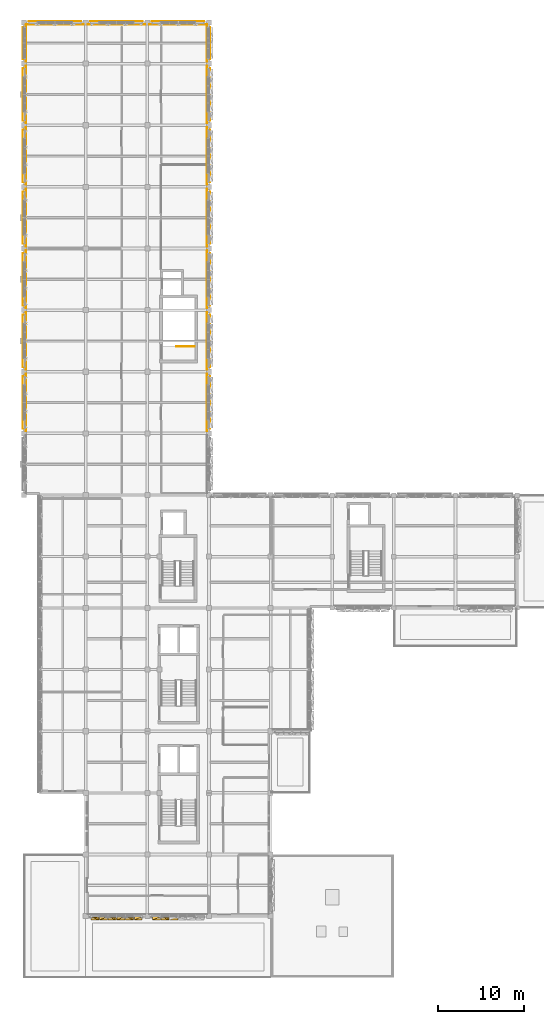
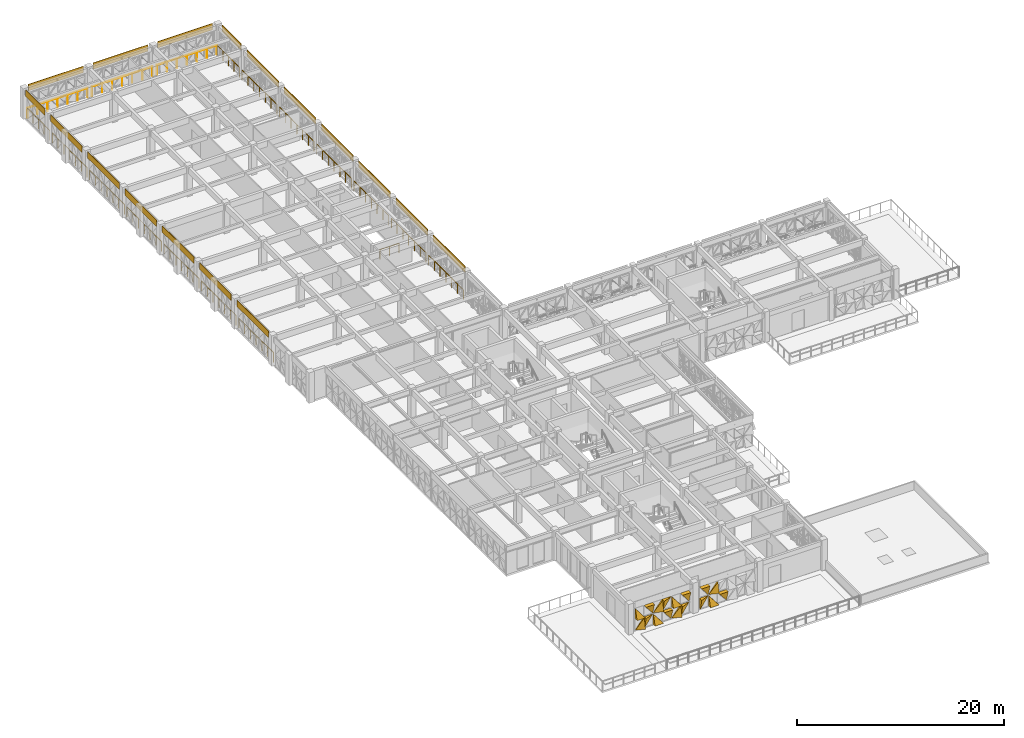
# One storey, part 64 of 74: 34 coverings, 18 railings.
"""IFC4 building model written with IfcOpenShell, lengths in metres."""

import ifcopenshell
import ifcopenshell.guid

model = None  # the IFC model being written
_history = None  # IfcOwnerHistory: only IFC2X3 demands one
_inside = {}  # id of a spatial element -> (the spatial element, [elements in it])
_under = {}  # id of a project, library or spatial element -> (it, [spatial elements below it])
_declared = {}  # id of a project -> (the project, [libraries it declares])
_typed = {}  # id of a type object -> (the type object, [elements of that type])
_made_of = {}  # id of a material, layer set ... -> (it, [elements and type objects made of it])


def new_model(schema):
    """Start an empty IFC model of exactly this schema.

    Asked for "IFC4X3", IfcOpenShell would pick the latest addendum, in which some entities
    have other attributes; the version numbers below select the first issue.
    IFC2X3 requires an IfcOwnerHistory on every rooted entity: one is made here for all.
    """
    global model, _history
    if schema == "IFC4X3":
        model = ifcopenshell.file(schema_version=(4, 3, 0, 0))
    else:
        model = ifcopenshell.file(schema=schema)
    _inside.clear()
    _under.clear()
    _declared.clear()
    _typed.clear()
    _made_of.clear()
    _history = None
    if model.schema == "IFC2X3":
        org = make("IfcOrganization", Name="unknown")
        user = make(
            "IfcPersonAndOrganization",
            ThePerson=make("IfcPerson", FamilyName="unknown"),
            TheOrganization=org,
        )
        app = make(
            "IfcApplication",
            ApplicationDeveloper=org,
            Version="unknown",
            ApplicationFullName="unknown",
            ApplicationIdentifier="unknown",
        )
        _history = make(
            "IfcOwnerHistory",
            OwningUser=user,
            OwningApplication=app,
            ChangeAction="ADDED",
            CreationDate=0,
        )
    return model


def make(cls, **values):
    """One entity of the class cls with the attributes given. An attribute that is None is left unset."""
    return model.create_entity(
        cls, **{name: value for name, value in values.items() if value is not None}
    )


def rooted(cls, **values):
    """An entity with a GlobalId (a new one), such as an element, a storey or a relation."""
    return make(cls, GlobalId=ifcopenshell.guid.new(), OwnerHistory=_history, **values)


def si_unit(unit_type, name, prefix=None):
    """IfcSIUnit, for example si_unit("LENGTHUNIT", "METRE", prefix="MILLI")."""
    return make("IfcSIUnit", UnitType=unit_type, Prefix=prefix, Name=name)


def assignment(units):
    """IfcUnitAssignment: the units of a project."""
    return None if units is None else make("IfcUnitAssignment", Units=units)


def point(xyz):
    """IfcCartesianPoint."""
    return None if xyz is None else make("IfcCartesianPoint", Coordinates=xyz)


def direction(xyz):
    """IfcDirection."""
    return None if xyz is None else make("IfcDirection", DirectionRatios=xyz)


def frame(location, z_axis=None, x_axis=None):
    """IfcAxis2Placement3D, a coordinate frame: its origin and axes. An axis left out is left unset."""
    return make(
        "IfcAxis2Placement3D",
        Location=point(location),
        Axis=direction(z_axis),
        RefDirection=direction(x_axis),
    )


def frame_2d(location, x_axis=None):
    """IfcAxis2Placement2D, a coordinate frame in the plane: its origin and x axis."""
    return make(
        "IfcAxis2Placement2D", Location=point(location), RefDirection=direction(x_axis)
    )


def origin():
    """The frame at (0, 0, 0) with its axes left unset."""
    return frame((0.0, 0.0, 0.0))


def origin_2d():
    """The frame at (0, 0) in the plane with its x axis left unset."""
    return frame_2d((0.0, 0.0))


def place(relative_to, where):
    """IfcLocalPlacement: puts the frame where relative to a parent placement (None: the world)."""
    return make(
        "IfcLocalPlacement", PlacementRelTo=relative_to, RelativePlacement=where
    )


def context(
    kind, dimensions, precision=None, world=None, true_north=None, identifier=None
):
    """IfcGeometricRepresentationContext, for example the 3D "Model" context."""
    return make(
        "IfcGeometricRepresentationContext",
        ContextIdentifier=identifier,
        ContextType=kind,
        CoordinateSpaceDimension=dimensions,
        Precision=precision,
        WorldCoordinateSystem=world,
        TrueNorth=true_north,
    )


def subcontext(parent, identifier, kind, view, scale=None):
    """IfcGeometricRepresentationSubContext, for example "Body" below "Model"."""
    return make(
        "IfcGeometricRepresentationSubContext",
        ContextIdentifier=identifier,
        ContextType=kind,
        ParentContext=parent,
        TargetScale=scale,
        TargetView=view,
    )


def project(units=None, contexts=None):
    """IfcProject with its units and contexts."""
    return rooted(
        "IfcProject",
        Name="project",
        RepresentationContexts=contexts,
        UnitsInContext=assignment(units),
    )


def spatial(cls, under=None, at=None, **own):
    """A site, building, storey or space (cls), placed at a placement, below another one or the project."""
    s = rooted(cls, ObjectPlacement=at, **own)
    if under is not None:
        _under.setdefault(under.id(), (under, []))[1].append(s)
    return s


def polyline(points):
    """IfcPolyline through the points."""
    return make("IfcPolyline", Points=[point(p) for p in points])


def point_list(points):
    """IfcCartesianPointList2D or 3D."""
    cls = (
        "IfcCartesianPointList2D" if len(points[0]) == 2 else "IfcCartesianPointList3D"
    )
    return make(cls, CoordList=points)


def profile(cls, at=None, kind="AREA", **sizes):
    """A parametric profile (cls). Its sizes go by their IFC names, for example OverallWidth=200.0."""
    return make(cls, ProfileType=kind, Position=at, **sizes)


def circle(**sizes):
    """IfcCircleProfileDef."""
    return profile("IfcCircleProfileDef", **sizes)


def outline(outer, holes=None, kind="AREA"):
    """IfcArbitraryClosedProfileDef: a profile drawn as a closed curve; with holes, ...WithVoids."""
    if holes is None:
        return make("IfcArbitraryClosedProfileDef", ProfileType=kind, OuterCurve=outer)
    return make(
        "IfcArbitraryProfileDefWithVoids",
        ProfileType=kind,
        OuterCurve=outer,
        InnerCurves=holes,
    )


def extrude(swept, where, along, depth):
    """IfcExtrudedAreaSolid: the profile swept, set in the frame where, extruded along a direction by depth."""
    return make(
        "IfcExtrudedAreaSolid",
        SweptArea=swept,
        Position=where,
        ExtrudedDirection=direction(along),
        Depth=depth,
    )


def polygons(points, faces, closed=None, point_numbers=None):
    """IfcPolygonalFaceSet: a face is its outer loop, then its inner loops; points numbered from 1."""
    made = []
    for loops in faces:
        if len(loops) == 1:
            made.append(make("IfcIndexedPolygonalFace", CoordIndex=loops[0]))
        else:
            made.append(
                make(
                    "IfcIndexedPolygonalFaceWithVoids",
                    CoordIndex=loops[0],
                    InnerCoordIndices=loops[1:],
                )
            )
    return make(
        "IfcPolygonalFaceSet",
        Coordinates=point_list(points),
        Closed=closed,
        Faces=made,
        PnIndex=point_numbers,
    )


def shape(context_of_items, identifier, shape_type, items):
    """IfcShapeRepresentation: the items that make up one representation, for example the "Body"."""
    return make(
        "IfcShapeRepresentation",
        ContextOfItems=context_of_items,
        RepresentationIdentifier=identifier,
        RepresentationType=shape_type,
        Items=items,
    )


def material(Name=None, Category=None):
    """IfcMaterial."""
    return make("IfcMaterial", Name=Name, Category=Category)


def layer(
    of_material, thickness, ventilated=None, Name=None, Category=None, Priority=None
):
    """IfcMaterialLayer: one layer of a wall or slab, of a material (None: an air gap)."""
    return make(
        "IfcMaterialLayer",
        Material=of_material,
        LayerThickness=thickness,
        IsVentilated=ventilated,
        Name=Name,
        Category=Category,
        Priority=Priority,
    )


def layer_set(layers, Name=None):
    """IfcMaterialLayerSet."""
    return make("IfcMaterialLayerSet", MaterialLayers=layers, LayerSetName=Name)


def made_of(thing, what):
    """Note that an element or type object is made of a material, layer set ...; save() writes the relation."""
    if what is not None:
        _made_of.setdefault(what.id(), (what, []))[1].append(thing)
    return thing


def type_object(cls, material=None, **own):
    """A type object (cls), such as IfcWallType, which elements share."""
    return made_of(rooted(cls, **own), material)


def element(
    cls,
    number,
    at=None,
    inside=None,
    cuts=None,
    type_object=None,
    material=None,
    context=None,
    identifier="Body",
    shape_type=None,
    held_by="IfcProductDefinitionShape",
    body=None,
    shapes=None,
    **own,
):
    """One element of the class cls, such as IfcWall. Its Tag is "e" and its number.

    at: its placement. inside: the storey or other place that contains it. cuts: it is an
    opening in that element (IfcRelVoidsElement). A single representation is given by context,
    identifier, shape_type and body (its items); several are given by shapes. held_by: the class
    of the entity that holds the representations. save() writes the other relations.
    """
    e = rooted(cls, Tag="e%d" % number, ObjectPlacement=at, **own)
    if body is not None:
        shapes = [shape(context, identifier, shape_type, body)]
    if shapes is not None:
        e.Representation = make(held_by, Representations=shapes)
    if inside is not None:
        _inside.setdefault(inside.id(), (inside, []))[1].append(e)
    if cuts is not None:
        rooted(
            "IfcRelVoidsElement", RelatingBuildingElement=cuts, RelatedOpeningElement=e
        )
    if type_object is not None:
        _typed.setdefault(type_object.id(), (type_object, []))[1].append(e)
    return made_of(e, material)


def aggregate(whole, parts):
    """IfcRelAggregates: a whole, such as a stair, and the parts it consists of."""
    return rooted("IfcRelAggregates", RelatingObject=whole, RelatedObjects=parts)


def save(model, path):
    """Write the relations noted so far, then the file.

    IfcRelAggregates (storeys below a building ...), IfcRelContainedInSpatialStructure (elements
    in a storey), IfcRelDefinesByType, IfcRelAssociatesMaterial and IfcRelDeclares: one each for
    every whole, place, type object, material and project.
    """
    for whole, parts in _under.values():
        aggregate(whole, parts)
    for where, things in _inside.values():
        rooted(
            "IfcRelContainedInSpatialStructure",
            RelatedElements=things,
            RelatingStructure=where,
        )
    for kind, things in _typed.values():
        rooted("IfcRelDefinesByType", RelatedObjects=things, RelatingType=kind)
    for what, things in _made_of.values():
        rooted("IfcRelAssociatesMaterial", RelatedObjects=things, RelatingMaterial=what)
    for by, libraries in _declared.values():
        rooted("IfcRelDeclares", RelatingContext=by, RelatedDefinitions=libraries)
    model.write(path)


model = new_model("IFC4")

# Units and contexts
model_context = context("Model", 3, precision=1e-05, world=origin(), true_north=direction((0.0, 1.0)))
body_context = subcontext(model_context, "Body", "Model", "MODEL_VIEW")
ifc_project = project(units=[si_unit("LENGTHUNIT", "METRE"), si_unit("AREAUNIT", "SQUARE_METRE"), si_unit("VOLUMEUNIT", "CUBIC_METRE"), si_unit("PLANEANGLEUNIT", "RADIAN"), si_unit("MASSUNIT", "GRAM", prefix="KILO")], contexts=[model_context])

# Site, building, storey
site_placement = place(None, origin())
site = spatial("IfcSite", under=ifc_project, at=site_placement, CompositionType="ELEMENT")
building_placement = place(site_placement, origin())
building = spatial("IfcBuilding", under=site, at=building_placement, Name="Alvorim Cloister Faculty of Sciences", CompositionType="ELEMENT")
storey_placement = place(building_placement, frame((0.0, 0.0, 15.75)))
storey = spatial("IfcBuildingStorey", under=building, at=storey_placement, Name="L04", CompositionType="ELEMENT", Elevation=15.75)

# Coverings
ifc_material_1 = material(Name="Anodised Aluminium Alloy 6063-T6", Category="aluminium")
ifc_layer_1 = layer(ifc_material_1, 0.031982421875)
ifc_layer_set_1 = layer_set([ifc_layer_1], Name="Anodised Aluminium Alloy 6063-T6")
covering_type_1 = type_object("IfcCoveringType", Name="COV-FAC-CAS", PredefinedType="CLADDING", material=ifc_layer_set_1)
for number, where, z_axis, x_axis, name in (
    (1, (-0.14990234375, 64.139892578125, 2.830078125), (0.0, 0.0, 1.0), (0.0, 1.0, 0.0), "L04 Shifted Bar Slab-Edge Architectural Fascia"),
    (2, (-0.14990234375, 71.340087890625, 2.830078125), (0.0, 0.0, 1.0), (0.0, 1.0, 0.0), "L04 Shifted Bar Slab-Edge Architectural Fascia"),
    (3, (-0.14990234375, 78.5400390625, 2.830078125), (0.0, 0.0, 1.0), (0.0, 1.0, 0.0), "L04 Shifted Bar Slab-Edge Architectural Fascia"),
    (4, (-0.14990234375, 85.739990234375, 2.830078125), (0.0, 0.0, 1.0), (0.0, 1.0, 0.0), "L04 Shifted Bar Slab-Edge Architectural Fascia"),
    (5, (-0.14990234375, 92.93994140625, 2.830078125), (0.0, 0.0, 1.0), (0.0, 1.0, 0.0), "L04 Shifted Bar Slab-Edge Architectural Fascia"),
    (6, (-0.14990234375, 100.139892578125, 2.830078125), (0.0, 0.0, 1.0), (0.0, 1.0, 0.0), "L04 Shifted Bar Slab-Edge Architectural Fascia"),
):
    element("IfcCovering", number, at=place(storey_placement, frame(where, z_axis=z_axis, x_axis=x_axis)), inside=storey, type_object=covering_type_1, Name=name, PredefinedType="CLADDING", context=body_context, shape_type="SweptSolid", body=[
        extrude(outline(polyline([(0.0, 0.0), (6.1201171875, 0.0), (6.1201171875, 0.760009765625), (0.0, 0.760009765625), (0.0, 0.0)])), frame((0.0, 0.0224609375, 0.0), z_axis=(0.0, -1.0, 0.0), x_axis=(1.0, 0.0, 0.0)), (0.0, 0.0, 1.0), 0.044921875),
    ])
covering_1_placement = place(storey_placement, frame((-0.14990234375, 107.340087890625, 2.830078125), z_axis=(0.0, 0.0, 1.0), x_axis=(0.0, 1.0, 0.0)))
element("IfcCovering", 7, at=covering_1_placement, inside=storey, type_object=covering_type_1, Name="L04 Shifted Bar Slab-Edge Architectural Fascia", PredefinedType="CLADDING", context=body_context, shape_type="SweptSolid", body=[
    extrude(outline(polyline([(0.0, 0.0), (3.719970703125, 0.0), (3.719970703125, 0.760009765625), (0.0, 0.760009765625), (0.0, 0.0)])), frame((0.0, 0.0224609375, 0.0), z_axis=(0.0, -1.0, 0.0), x_axis=(1.0, 0.0, 0.0)), (0.0, 0.0, 1.0), 0.044921875),
])
for number, where, z_axis, x_axis, name in (
    (8, (0.5400390625, 111.75, 2.830078125), (0.0, 0.0, 1.0), (1.0, 0.0, 0.0), "L04 Shifted Bar Slab-Edge Architectural Fascia"),
    (9, (7.739990234375, 111.75, 2.830078125), (0.0, 0.0, 1.0), (1.0, 0.0, 0.0), "L04 Shifted Bar Slab-Edge Architectural Fascia"),
    (10, (14.93994140625, 111.75, 2.830078125), (0.0, 0.0, 1.0), (1.0, 0.0, 0.0), "L04 Shifted Bar Slab-Edge Architectural Fascia"),
):
    element("IfcCovering", number, at=place(storey_placement, frame(where, z_axis=z_axis, x_axis=x_axis)), inside=storey, type_object=covering_type_1, Name=name, PredefinedType="CLADDING", context=body_context, shape_type="SweptSolid", body=[
        extrude(outline(polyline([(0.0, 0.0), (6.1201171875, 0.0), (6.1201171875, 0.760009765625), (0.0, 0.760009765625), (0.0, 0.0)])), frame((0.0, 0.0224609375, 0.0), z_axis=(0.0, -1.0, 0.0), x_axis=(1.0, 0.0, 0.0)), (0.0, 0.0, 1.0), 0.044921875),
    ])
covering_2_placement = place(storey_placement, frame((21.75, 107.340087890625, 2.830078125), z_axis=(0.0, 0.0, 1.0), x_axis=(0.0, 1.0, 0.0)))
element("IfcCovering", 11, at=covering_2_placement, inside=storey, type_object=covering_type_1, Name="L04 Shifted Bar Slab-Edge Architectural Fascia", PredefinedType="CLADDING", context=body_context, shape_type="SweptSolid", body=[
    extrude(outline(polyline([(0.0, 0.0), (3.719970703125, 0.0), (3.719970703125, 0.760009765625), (0.0, 0.760009765625), (0.0, 0.0)])), frame((0.0, 0.0224609375, 0.0), z_axis=(0.0, -1.0, 0.0), x_axis=(1.0, 0.0, 0.0)), (0.0, 0.0, 1.0), 0.044921875),
])
for number, where, z_axis, x_axis, name in (
    (12, (21.75, 100.139892578125, 2.830078125), (0.0, 0.0, 1.0), (0.0, 1.0, 0.0), "L04 Shifted Bar Slab-Edge Architectural Fascia"),
    (13, (21.75, 92.93994140625, 2.830078125), (0.0, 0.0, 1.0), (0.0, 1.0, 0.0), "L04 Shifted Bar Slab-Edge Architectural Fascia"),
    (14, (21.75, 85.739990234375, 2.830078125), (0.0, 0.0, 1.0), (0.0, 1.0, 0.0), "L04 Shifted Bar Slab-Edge Architectural Fascia"),
    (15, (21.75, 78.5400390625, 2.830078125), (0.0, 0.0, 1.0), (0.0, 1.0, 0.0), "L04 Shifted Bar Slab-Edge Architectural Fascia"),
    (16, (21.75, 71.340087890625, 2.830078125), (0.0, 0.0, 1.0), (0.0, 1.0, 0.0), "L04 Shifted Bar Slab-Edge Architectural Fascia"),
    (17, (21.75, 64.139892578125, 2.830078125), (0.0, 0.0, 1.0), (0.0, 1.0, 0.0), "L04 Shifted Bar Slab-Edge Architectural Fascia"),
):
    element("IfcCovering", number, at=place(storey_placement, frame(where, z_axis=z_axis, x_axis=x_axis)), inside=storey, type_object=covering_type_1, Name=name, PredefinedType="CLADDING", context=body_context, shape_type="SweptSolid", body=[
        extrude(outline(polyline([(0.0, 0.0), (6.1201171875, 0.0), (6.1201171875, 0.760009765625), (0.0, 0.760009765625), (0.0, 0.0)])), frame((0.0, 0.0224609375, 0.0), z_axis=(0.0, -1.0, 0.0), x_axis=(1.0, 0.0, 0.0)), (0.0, 0.0, 1.0), 0.044921875),
    ])
ifc_material_2 = material(Name="Perforated Bronze Alloy Sheet", Category="metal")
ifc_layer_2 = layer(ifc_material_2, 0.0380859375)
ifc_layer_set_2 = layer_set([ifc_layer_2], Name="Perforated Bronze Alloy Sheet")
covering_type_2 = type_object("IfcCoveringType", Name="COV-TRI-BRZ", PredefinedType="CLADDING", material=ifc_layer_set_2)
covering_3_placement = place(storey_placement, frame((15.0048828125, 7.155029296875, 0.139892578125), z_axis=(0.0, 0.0, 1.0), x_axis=(1.0, 0.0, 0.0)))
element("IfcCovering", 18, at=covering_3_placement, inside=storey, type_object=covering_type_2, Name="Diagonal Solid Metal Triangle TRI-TL", PredefinedType="CLADDING", context=body_context, shape_type="Tessellation", body=[
    polygons([(0.920607421875, 0.0260009765625, 1.215087890625), (0.0, 0.0260009765625, 1.215087890625), (0.0, 0.0260009765625, 0.002), (0.920607421875, -0.03, 1.215087890625), (0.0, -0.4, 1.215087890625), (0.0, -0.13999999999999999, 0.002)], [[[1, 3, 2]], [[4, 5, 6]], [[1, 2, 5, 4]], [[2, 3, 6, 5]], [[3, 1, 4, 6]]], closed=True),
])
covering_4_placement = place(storey_placement, frame((15.0048828125, 7.155029296875, 1.4951171875), z_axis=(0.0, 0.0, 1.0), x_axis=(1.0, 0.0, 0.0)))
element("IfcCovering", 19, at=covering_4_placement, inside=storey, type_object=covering_type_2, Name="Diagonal Solid Metal Triangle TRI-TR", PredefinedType="CLADDING", context=body_context, shape_type="Tessellation", body=[
    polygons([(0.922607421875, 0.0260009765625, 0.002), (0.922607421875, 0.0260009765625, 1.21484375), (0.002, 0.0260009765625, 1.21484375), (0.922607421875, -0.03, 0.002), (0.922607421875, -0.4, 1.21484375), (0.002, -0.4, 1.21484375)], [[[1, 3, 2]], [[4, 5, 6]], [[1, 2, 5, 4]], [[2, 3, 6, 5]], [[3, 1, 4, 6]]], closed=True),
])
covering_5_placement = place(storey_placement, frame((15.992431640625, 7.155029296875, 0.139892578125), z_axis=(0.0, 0.0, 1.0), x_axis=(1.0, 0.0, 0.0)))
element("IfcCovering", 20, at=covering_5_placement, inside=storey, type_object=covering_type_2, Name="Diagonal Solid Metal Triangle TRI-BL", PredefinedType="CLADDING", context=body_context, shape_type="Tessellation", body=[
    polygons([(0.0, 0.0260009765625, 0.0), (0.953078125, 0.0260009765625, 0.0), (0.0, 0.0260009765625, 1.213087890625), (0.0, -0.4, 0.0), (0.953078125, -0.4, 0.0), (0.0, -0.03, 1.213087890625)], [[[1, 3, 2]], [[4, 5, 6]], [[1, 2, 5, 4]], [[2, 3, 6, 5]], [[3, 1, 4, 6]]], closed=True),
])
covering_6_placement = place(storey_placement, frame((15.992431640625, 7.155029296875, 1.4951171875), z_axis=(0.0, 0.0, 1.0), x_axis=(1.0, 0.0, 0.0)))
element("IfcCovering", 21, at=covering_6_placement, inside=storey, type_object=covering_type_2, Name="Diagonal Solid Metal Triangle TRI-BR", PredefinedType="CLADDING", context=body_context, shape_type="Tessellation", body=[
    polygons([(0.002, 0.0260009765625, 0.0), (0.955078125, 0.0260009765625, 0.0), (0.955078125, 0.0260009765625, 1.21284375), (0.002, -0.03, 0.0), (0.955078125, -0.4, 0.0), (0.955078125, -0.18000000000000002, 1.21284375)], [[[1, 3, 2]], [[4, 5, 6]], [[1, 2, 5, 4]], [[2, 3, 6, 5]], [[3, 1, 4, 6]]], closed=True),
])
covering_7_placement = place(storey_placement, frame((17.012451171875, 7.155029296875, 0.139892578125), z_axis=(0.0, 0.0, 1.0), x_axis=(1.0, 0.0, 0.0)))
element("IfcCovering", 22, at=covering_7_placement, inside=storey, type_object=covering_type_2, Name="Diagonal Solid Metal Triangle TRI-TR", PredefinedType="CLADDING", context=body_context, shape_type="Tessellation", body=[
    polygons([(0.955078125, 0.0260009765625, 0.002), (0.955078125, 0.0260009765625, 1.215087890625), (0.002, 0.0260009765625, 1.215087890625), (0.955078125, -0.03, 0.002), (0.955078125, -0.4, 1.215087890625), (0.002, -0.4, 1.215087890625)], [[[1, 3, 2]], [[4, 5, 6]], [[1, 2, 5, 4]], [[2, 3, 6, 5]], [[3, 1, 4, 6]]], closed=True),
])
covering_8_placement = place(storey_placement, frame((7.804931640625, 7.155029296875, 0.139892578125), z_axis=(0.0, 0.0, 1.0), x_axis=(1.0, 0.0, 0.0)))
element("IfcCovering", 23, at=covering_8_placement, inside=storey, type_object=covering_type_2, Name="Diagonal Solid Metal Triangle TRI-BR", PredefinedType="CLADDING", context=body_context, shape_type="Tessellation", body=[
    polygons([(0.002, 0.0260009765625, 0.0), (0.922607421875, 0.0260009765625, 0.0), (0.922607421875, 0.0260009765625, 1.213087890625), (0.002, -0.03, 0.0), (0.922607421875, -0.4, 0.0), (0.922607421875, -0.18000000000000002, 1.213087890625)], [[[1, 3, 2]], [[4, 5, 6]], [[1, 2, 5, 4]], [[2, 3, 6, 5]], [[3, 1, 4, 6]]], closed=True),
])
covering_9_placement = place(storey_placement, frame((7.804931640625, 7.155029296875, 1.4951171875), z_axis=(0.0, 0.0, 1.0), x_axis=(1.0, 0.0, 0.0)))
element("IfcCovering", 24, at=covering_9_placement, inside=storey, type_object=covering_type_2, Name="Diagonal Solid Metal Triangle TRI-BL", PredefinedType="CLADDING", context=body_context, shape_type="Tessellation", body=[
    polygons([(0.0, 0.0260009765625, 0.0), (0.920607421875, 0.0260009765625, 0.0), (0.0, 0.0260009765625, 1.21284375), (0.0, -0.4, 0.0), (0.920607421875, -0.4, 0.0), (0.0, -0.03, 1.21284375)], [[[1, 3, 2]], [[4, 5, 6]], [[1, 2, 5, 4]], [[2, 3, 6, 5]], [[3, 1, 4, 6]]], closed=True),
])
covering_10_placement = place(storey_placement, frame((8.79248046875, 7.155029296875, 0.139892578125), z_axis=(0.0, 0.0, 1.0), x_axis=(1.0, 0.0, 0.0)))
element("IfcCovering", 25, at=covering_10_placement, inside=storey, type_object=covering_type_2, Name="Diagonal Solid Metal Triangle TRI-TL", PredefinedType="CLADDING", context=body_context, shape_type="Tessellation", body=[
    polygons([(0.953078125, 0.0260009765625, 1.215087890625), (0.0, 0.0260009765625, 1.215087890625), (0.0, 0.0260009765625, 0.002), (0.953078125, -0.03, 1.215087890625), (0.0, -0.4, 1.215087890625), (0.0, -0.13999999999999999, 0.002)], [[[1, 3, 2]], [[4, 5, 6]], [[1, 2, 5, 4]], [[2, 3, 6, 5]], [[3, 1, 4, 6]]], closed=True),
])
covering_11_placement = place(storey_placement, frame((8.79248046875, 7.155029296875, 1.4951171875), z_axis=(0.0, 0.0, 1.0), x_axis=(1.0, 0.0, 0.0)))
element("IfcCovering", 26, at=covering_11_placement, inside=storey, type_object=covering_type_2, Name="Diagonal Solid Metal Triangle TRI-TR", PredefinedType="CLADDING", context=body_context, shape_type="Tessellation", body=[
    polygons([(0.955078125, 0.0260009765625, 0.002), (0.955078125, 0.0260009765625, 1.21484375), (0.002, 0.0260009765625, 1.21484375), (0.955078125, -0.03, 0.002), (0.955078125, -0.4, 1.21484375), (0.002, -0.4, 1.21484375)], [[[1, 3, 2]], [[4, 5, 6]], [[1, 2, 5, 4]], [[2, 3, 6, 5]], [[3, 1, 4, 6]]], closed=True),
])
covering_12_placement = place(storey_placement, frame((9.8125, 7.155029296875, 0.139892578125), z_axis=(0.0, 0.0, 1.0), x_axis=(1.0, 0.0, 0.0)))
element("IfcCovering", 27, at=covering_12_placement, inside=storey, type_object=covering_type_2, Name="Diagonal Solid Metal Triangle TRI-BL", PredefinedType="CLADDING", context=body_context, shape_type="Tessellation", body=[
    polygons([(0.0, 0.0260009765625, 0.0), (0.953078125, 0.0260009765625, 0.0), (0.0, 0.0260009765625, 1.213087890625), (0.0, -0.4, 0.0), (0.953078125, -0.4, 0.0), (0.0, -0.03, 1.213087890625)], [[[1, 3, 2]], [[4, 5, 6]], [[1, 2, 5, 4]], [[2, 3, 6, 5]], [[3, 1, 4, 6]]], closed=True),
])
covering_13_placement = place(storey_placement, frame((9.8125, 7.155029296875, 1.4951171875), z_axis=(0.0, 0.0, 1.0), x_axis=(1.0, 0.0, 0.0)))
element("IfcCovering", 28, at=covering_13_placement, inside=storey, type_object=covering_type_2, Name="Diagonal Solid Metal Triangle TRI-BR", PredefinedType="CLADDING", context=body_context, shape_type="Tessellation", body=[
    polygons([(0.002, 0.0260009765625, 0.0), (0.955078125, 0.0260009765625, 0.0), (0.955078125, 0.0260009765625, 1.21284375), (0.002, -0.03, 0.0), (0.955078125, -0.4, 0.0), (0.955078125, -0.18000000000000002, 1.21284375)], [[[1, 3, 2]], [[4, 5, 6]], [[1, 2, 5, 4]], [[2, 3, 6, 5]], [[3, 1, 4, 6]]], closed=True),
])
covering_14_placement = place(storey_placement, frame((10.83251953125, 7.155029296875, 0.139892578125), z_axis=(0.0, 0.0, 1.0), x_axis=(1.0, 0.0, 0.0)))
element("IfcCovering", 29, at=covering_14_placement, inside=storey, type_object=covering_type_2, Name="Diagonal Solid Metal Triangle TRI-TR", PredefinedType="CLADDING", context=body_context, shape_type="Tessellation", body=[
    polygons([(0.955078125, 0.0260009765625, 0.002), (0.955078125, 0.0260009765625, 1.215087890625), (0.002, 0.0260009765625, 1.215087890625), (0.955078125, -0.03, 0.002), (0.955078125, -0.4, 1.215087890625), (0.002, -0.4, 1.215087890625)], [[[1, 3, 2]], [[4, 5, 6]], [[1, 2, 5, 4]], [[2, 3, 6, 5]], [[3, 1, 4, 6]]], closed=True),
])
covering_15_placement = place(storey_placement, frame((10.83251953125, 7.155029296875, 1.4951171875), z_axis=(0.0, 0.0, 1.0), x_axis=(1.0, 0.0, 0.0)))
element("IfcCovering", 30, at=covering_15_placement, inside=storey, type_object=covering_type_2, Name="Diagonal Solid Metal Triangle TRI-TL", PredefinedType="CLADDING", context=body_context, shape_type="Tessellation", body=[
    polygons([(0.953078125, 0.0260009765625, 1.21484375), (0.0, 0.0260009765625, 1.21484375), (0.0, 0.0260009765625, 0.002), (0.953078125, -0.03, 1.21484375), (0.0, -0.4, 1.21484375), (0.0, -0.13999999999999999, 0.002)], [[[1, 3, 2]], [[4, 5, 6]], [[1, 2, 5, 4]], [[2, 3, 6, 5]], [[3, 1, 4, 6]]], closed=True),
])
covering_16_placement = place(storey_placement, frame((11.8525390625, 7.155029296875, 0.139892578125), z_axis=(0.0, 0.0, 1.0), x_axis=(1.0, 0.0, 0.0)))
element("IfcCovering", 31, at=covering_16_placement, inside=storey, type_object=covering_type_2, Name="Diagonal Solid Metal Triangle TRI-BR", PredefinedType="CLADDING", context=body_context, shape_type="Tessellation", body=[
    polygons([(0.002, 0.0260009765625, 0.0), (0.955078125, 0.0260009765625, 0.0), (0.955078125, 0.0260009765625, 1.213087890625), (0.002, -0.03, 0.0), (0.955078125, -0.4, 0.0), (0.955078125, -0.18000000000000002, 1.213087890625)], [[[1, 3, 2]], [[4, 5, 6]], [[1, 2, 5, 4]], [[2, 3, 6, 5]], [[3, 1, 4, 6]]], closed=True),
])
covering_17_placement = place(storey_placement, frame((11.8525390625, 7.155029296875, 1.4951171875), z_axis=(0.0, 0.0, 1.0), x_axis=(1.0, 0.0, 0.0)))
element("IfcCovering", 32, at=covering_17_placement, inside=storey, type_object=covering_type_2, Name="Diagonal Solid Metal Triangle TRI-BL", PredefinedType="CLADDING", context=body_context, shape_type="Tessellation", body=[
    polygons([(0.0, 0.0260009765625, 0.0), (0.953078125, 0.0260009765625, 0.0), (0.0, 0.0260009765625, 1.21284375), (0.0, -0.4, 0.0), (0.953078125, -0.4, 0.0), (0.0, -0.03, 1.21284375)], [[[1, 3, 2]], [[4, 5, 6]], [[1, 2, 5, 4]], [[2, 3, 6, 5]], [[3, 1, 4, 6]]], closed=True),
])
covering_18_placement = place(storey_placement, frame((12.87255859375, 7.155029296875, 0.139892578125), z_axis=(0.0, 0.0, 1.0), x_axis=(1.0, 0.0, 0.0)))
element("IfcCovering", 33, at=covering_18_placement, inside=storey, type_object=covering_type_2, Name="Diagonal Solid Metal Triangle TRI-TL", PredefinedType="CLADDING", context=body_context, shape_type="Tessellation", body=[
    polygons([(0.920607421875, 0.0260009765625, 1.215087890625), (0.0, 0.0260009765625, 1.215087890625), (0.0, 0.0260009765625, 0.002), (0.920607421875, -0.03, 1.215087890625), (0.0, -0.4, 1.215087890625), (0.0, -0.13999999999999999, 0.002)], [[[1, 3, 2]], [[4, 5, 6]], [[1, 2, 5, 4]], [[2, 3, 6, 5]], [[3, 1, 4, 6]]], closed=True),
])
covering_19_placement = place(storey_placement, frame((12.87255859375, 7.155029296875, 1.4951171875), z_axis=(0.0, 0.0, 1.0), x_axis=(1.0, 0.0, 0.0)))
element("IfcCovering", 34, at=covering_19_placement, inside=storey, type_object=covering_type_2, Name="Diagonal Solid Metal Triangle TRI-TR", PredefinedType="CLADDING", context=body_context, shape_type="Tessellation", body=[
    polygons([(0.922607421875, 0.0260009765625, 0.002), (0.922607421875, 0.0260009765625, 1.21484375), (0.002, 0.0260009765625, 1.21484375), (0.922607421875, -0.03, 0.002), (0.922607421875, -0.4, 1.21484375), (0.002, -0.4, 1.21484375)], [[[1, 3, 2]], [[4, 5, 6]], [[1, 2, 5, 4]], [[2, 3, 6, 5]], [[3, 1, 4, 6]]], closed=True),
])

# Railings
ifc_material_3 = material(Name="Laminated Safety Glass and Bronze", Category="glass")
railing_type_1 = type_object("IfcRailingType", Name="RL-ATR-BAL-1150", PredefinedType="BALUSTRADE", material=ifc_material_3)
for number, where, name in (
    (35, (0.219970703125, 63.85009765625, 0.0), "L04 Curtain Wall Sill Guard BL-165"),
    (36, (0.219970703125, 71.050048828125, 0.0), "L04 Curtain Wall Sill Guard BL-166"),
    (37, (0.219970703125, 78.25, 0.0), "L04 Curtain Wall Sill Guard BL-167"),
    (38, (0.219970703125, 85.449951171875, 0.0), "L04 Curtain Wall Sill Guard BL-168"),
):
    element("IfcRailing", number, at=place(storey_placement, frame(where)), inside=storey, type_object=railing_type_1, Name=name, PredefinedType="BALUSTRADE", context=body_context, shape_type="SweptSolid", body=[
        extrude(circle(Radius=0.02392578125, at=origin_2d()), frame((0.0, 0.0, 1.1259765625), z_axis=(0.0, 1.0, 0.0), x_axis=(-1.0, 0.0, 0.0)), (0.0, 0.0, 1.0), 6.699951171875),
        extrude(circle(Radius=0.02099609375, at=origin_2d()), origin(), (0.0, 0.0, 1.0), 1.101806640625),
        extrude(circle(Radius=0.02099609375, at=origin_2d()), frame((0.0, 1.11669921875, 0.0)), (0.0, 0.0, 1.0), 1.101806640625),
        extrude(circle(Radius=0.02099609375, at=origin_2d()), frame((0.0, 2.2333984375, 0.0)), (0.0, 0.0, 1.0), 1.101806640625),
        extrude(circle(Radius=0.02099609375, at=origin_2d()), frame((0.0, 3.35009765625, 0.0)), (0.0, 0.0, 1.0), 1.101806640625),
        extrude(circle(Radius=0.02099609375, at=origin_2d()), frame((0.0, 4.466552734375, 0.0)), (0.0, 0.0, 1.0), 1.101806640625),
        extrude(circle(Radius=0.02099609375, at=origin_2d()), frame((0.0, 5.583251953125, 0.0)), (0.0, 0.0, 1.0), 1.101806640625),
        extrude(circle(Radius=0.02099609375, at=origin_2d()), frame((0.0, 6.699951171875, 0.0)), (0.0, 0.0, 1.0), 1.101806640625),
    ])
railing_1_placement = place(storey_placement, frame((0.219970703125, 92.64990234375, 0.0)))
element("IfcRailing", 39, at=railing_1_placement, inside=storey, type_object=railing_type_1, Name="L04 Curtain Wall Sill Guard BL-169", PredefinedType="BALUSTRADE", context=body_context, shape_type="SweptSolid", body=[
    extrude(circle(Radius=0.02392578125, at=origin_2d()), frame((0.0, 0.0, 1.1259765625), z_axis=(0.0, 1.0, 0.0), x_axis=(-1.0, 0.0, 0.0)), (0.0, 0.0, 1.0), 6.7001953125),
    extrude(circle(Radius=0.02099609375, at=origin_2d()), origin(), (0.0, 0.0, 1.0), 1.101806640625),
    extrude(circle(Radius=0.02099609375, at=origin_2d()), frame((0.0, 1.11669921875, 0.0)), (0.0, 0.0, 1.0), 1.101806640625),
    extrude(circle(Radius=0.02099609375, at=origin_2d()), frame((0.0, 2.2333984375, 0.0)), (0.0, 0.0, 1.0), 1.101806640625),
    extrude(circle(Radius=0.02099609375, at=origin_2d()), frame((0.0, 3.35009765625, 0.0)), (0.0, 0.0, 1.0), 1.101806640625),
    extrude(circle(Radius=0.02099609375, at=origin_2d()), frame((0.0, 4.466796875, 0.0)), (0.0, 0.0, 1.0), 1.101806640625),
    extrude(circle(Radius=0.02099609375, at=origin_2d()), frame((0.0, 5.58349609375, 0.0)), (0.0, 0.0, 1.0), 1.101806640625),
    extrude(circle(Radius=0.02099609375, at=origin_2d()), frame((0.0, 6.7001953125, 0.0)), (0.0, 0.0, 1.0), 1.101806640625),
])
railing_2_placement = place(storey_placement, frame((0.219970703125, 99.85009765625, 0.0)))
element("IfcRailing", 40, at=railing_2_placement, inside=storey, type_object=railing_type_1, Name="L04 Curtain Wall Sill Guard BL-170", PredefinedType="BALUSTRADE", context=body_context, shape_type="SweptSolid", body=[
    extrude(circle(Radius=0.02392578125, at=origin_2d()), frame((0.0, 0.0, 1.1259765625), z_axis=(0.0, 1.0, 0.0), x_axis=(-1.0, 0.0, 0.0)), (0.0, 0.0, 1.0), 6.699951171875),
    extrude(circle(Radius=0.02099609375, at=origin_2d()), origin(), (0.0, 0.0, 1.0), 1.101806640625),
    extrude(circle(Radius=0.02099609375, at=origin_2d()), frame((0.0, 1.11669921875, 0.0)), (0.0, 0.0, 1.0), 1.101806640625),
    extrude(circle(Radius=0.02099609375, at=origin_2d()), frame((0.0, 2.2333984375, 0.0)), (0.0, 0.0, 1.0), 1.101806640625),
    extrude(circle(Radius=0.02099609375, at=origin_2d()), frame((0.0, 3.35009765625, 0.0)), (0.0, 0.0, 1.0), 1.101806640625),
    extrude(circle(Radius=0.02099609375, at=origin_2d()), frame((0.0, 4.466552734375, 0.0)), (0.0, 0.0, 1.0), 1.101806640625),
    extrude(circle(Radius=0.02099609375, at=origin_2d()), frame((0.0, 5.583251953125, 0.0)), (0.0, 0.0, 1.0), 1.101806640625),
    extrude(circle(Radius=0.02099609375, at=origin_2d()), frame((0.0, 6.699951171875, 0.0)), (0.0, 0.0, 1.0), 1.101806640625),
])
railing_3_placement = place(storey_placement, frame((0.219970703125, 107.050048828125, 0.0)))
element("IfcRailing", 41, at=railing_3_placement, inside=storey, type_object=railing_type_1, Name="L04 Curtain Wall Sill Guard BL-171", PredefinedType="BALUSTRADE", context=body_context, shape_type="SweptSolid", body=[
    extrude(circle(Radius=0.02392578125, at=origin_2d()), frame((0.0, 0.0, 1.1259765625), z_axis=(0.0, 1.0, 0.0), x_axis=(-1.0, 0.0, 0.0)), (0.0, 0.0, 1.0), 4.300048828125),
    extrude(circle(Radius=0.02099609375, at=origin_2d()), origin(), (0.0, 0.0, 1.0), 1.101806640625),
    extrude(circle(Radius=0.02099609375, at=origin_2d()), frame((0.0, 1.074951171875, 0.0)), (0.0, 0.0, 1.0), 1.101806640625),
    extrude(circle(Radius=0.02099609375, at=origin_2d()), frame((0.0, 2.14990234375, 0.0)), (0.0, 0.0, 1.0), 1.101806640625),
    extrude(circle(Radius=0.02099609375, at=origin_2d()), frame((0.0, 3.22509765625, 0.0)), (0.0, 0.0, 1.0), 1.101806640625),
    extrude(circle(Radius=0.02099609375, at=origin_2d()), frame((0.0, 4.300048828125, 0.0)), (0.0, 0.0, 1.0), 1.101806640625),
])
for number, where, name in (
    (42, (0.25, 111.3798828125, 0.0), "L04 Curtain Wall Sill Guard BL-172"),
    (43, (7.449951171875, 111.3798828125, 0.0), "L04 Curtain Wall Sill Guard BL-173"),
):
    element("IfcRailing", number, at=place(storey_placement, frame(where)), inside=storey, type_object=railing_type_1, Name=name, PredefinedType="BALUSTRADE", context=body_context, shape_type="SweptSolid", body=[
        extrude(circle(Radius=0.02392578125, at=origin_2d()), frame((0.0, 0.0, 1.1259765625), z_axis=(1.0, 0.0, 0.0), x_axis=(0.0, 1.0, 0.0)), (0.0, 0.0, 1.0), 6.699951171875),
        extrude(circle(Radius=0.02099609375, at=origin_2d()), origin(), (0.0, 0.0, 1.0), 1.101806640625),
        extrude(circle(Radius=0.02099609375, at=origin_2d()), frame((1.11669921875, 0.0, 0.0)), (0.0, 0.0, 1.0), 1.101806640625),
        extrude(circle(Radius=0.02099609375, at=origin_2d()), frame((2.2333984375, 0.0, 0.0)), (0.0, 0.0, 1.0), 1.101806640625),
        extrude(circle(Radius=0.02099609375, at=origin_2d()), frame((3.35009765625, 0.0, 0.0)), (0.0, 0.0, 1.0), 1.101806640625),
        extrude(circle(Radius=0.02099609375, at=origin_2d()), frame((4.466552734375, 0.0, 0.0)), (0.0, 0.0, 1.0), 1.101806640625),
        extrude(circle(Radius=0.02099609375, at=origin_2d()), frame((5.583251953125, 0.0, 0.0)), (0.0, 0.0, 1.0), 1.101806640625),
        extrude(circle(Radius=0.02099609375, at=origin_2d()), frame((6.699951171875, 0.0, 0.0)), (0.0, 0.0, 1.0), 1.101806640625),
    ])
railing_4_placement = place(storey_placement, frame((14.64990234375, 111.3798828125, 0.0)))
element("IfcRailing", 44, at=railing_4_placement, inside=storey, type_object=railing_type_1, Name="L04 Curtain Wall Sill Guard BL-174", PredefinedType="BALUSTRADE", context=body_context, shape_type="SweptSolid", body=[
    extrude(circle(Radius=0.02392578125, at=origin_2d()), frame((0.0, 0.0, 1.1259765625), z_axis=(1.0, 0.0, 0.0), x_axis=(0.0, 1.0, 0.0)), (0.0, 0.0, 1.0), 6.7001953125),
    extrude(circle(Radius=0.02099609375, at=origin_2d()), origin(), (0.0, 0.0, 1.0), 1.101806640625),
    extrude(circle(Radius=0.02099609375, at=origin_2d()), frame((1.11669921875, 0.0, 0.0)), (0.0, 0.0, 1.0), 1.101806640625),
    extrude(circle(Radius=0.02099609375, at=origin_2d()), frame((2.2333984375, 0.0, 0.0)), (0.0, 0.0, 1.0), 1.101806640625),
    extrude(circle(Radius=0.02099609375, at=origin_2d()), frame((3.35009765625, 0.0, 0.0)), (0.0, 0.0, 1.0), 1.101806640625),
    extrude(circle(Radius=0.02099609375, at=origin_2d()), frame((4.466796875, 0.0, 0.0)), (0.0, 0.0, 1.0), 1.101806640625),
    extrude(circle(Radius=0.02099609375, at=origin_2d()), frame((5.58349609375, 0.0, 0.0)), (0.0, 0.0, 1.0), 1.101806640625),
    extrude(circle(Radius=0.02099609375, at=origin_2d()), frame((6.7001953125, 0.0, 0.0)), (0.0, 0.0, 1.0), 1.101806640625),
])
railing_5_placement = place(storey_placement, frame((21.3798828125, 107.050048828125, 0.0)))
element("IfcRailing", 45, at=railing_5_placement, inside=storey, type_object=railing_type_1, Name="L04 Curtain Wall Sill Guard BL-175", PredefinedType="BALUSTRADE", context=body_context, shape_type="SweptSolid", body=[
    extrude(circle(Radius=0.02392578125, at=origin_2d()), frame((0.0, 0.0, 1.1259765625), z_axis=(0.0, 1.0, 0.0), x_axis=(-1.0, 0.0, 0.0)), (0.0, 0.0, 1.0), 4.300048828125),
    extrude(circle(Radius=0.02099609375, at=origin_2d()), origin(), (0.0, 0.0, 1.0), 1.101806640625),
    extrude(circle(Radius=0.02099609375, at=origin_2d()), frame((0.0, 1.074951171875, 0.0)), (0.0, 0.0, 1.0), 1.101806640625),
    extrude(circle(Radius=0.02099609375, at=origin_2d()), frame((0.0, 2.14990234375, 0.0)), (0.0, 0.0, 1.0), 1.101806640625),
    extrude(circle(Radius=0.02099609375, at=origin_2d()), frame((0.0, 3.22509765625, 0.0)), (0.0, 0.0, 1.0), 1.101806640625),
    extrude(circle(Radius=0.02099609375, at=origin_2d()), frame((0.0, 4.300048828125, 0.0)), (0.0, 0.0, 1.0), 1.101806640625),
])
railing_6_placement = place(storey_placement, frame((21.3798828125, 99.85009765625, 0.0)))
element("IfcRailing", 46, at=railing_6_placement, inside=storey, type_object=railing_type_1, Name="L04 Curtain Wall Sill Guard BL-176", PredefinedType="BALUSTRADE", context=body_context, shape_type="SweptSolid", body=[
    extrude(circle(Radius=0.02392578125, at=origin_2d()), frame((0.0, 0.0, 1.1259765625), z_axis=(0.0, 1.0, 0.0), x_axis=(-1.0, 0.0, 0.0)), (0.0, 0.0, 1.0), 6.699951171875),
    extrude(circle(Radius=0.02099609375, at=origin_2d()), origin(), (0.0, 0.0, 1.0), 1.101806640625),
    extrude(circle(Radius=0.02099609375, at=origin_2d()), frame((0.0, 1.11669921875, 0.0)), (0.0, 0.0, 1.0), 1.101806640625),
    extrude(circle(Radius=0.02099609375, at=origin_2d()), frame((0.0, 2.2333984375, 0.0)), (0.0, 0.0, 1.0), 1.101806640625),
    extrude(circle(Radius=0.02099609375, at=origin_2d()), frame((0.0, 3.35009765625, 0.0)), (0.0, 0.0, 1.0), 1.101806640625),
    extrude(circle(Radius=0.02099609375, at=origin_2d()), frame((0.0, 4.466552734375, 0.0)), (0.0, 0.0, 1.0), 1.101806640625),
    extrude(circle(Radius=0.02099609375, at=origin_2d()), frame((0.0, 5.583251953125, 0.0)), (0.0, 0.0, 1.0), 1.101806640625),
    extrude(circle(Radius=0.02099609375, at=origin_2d()), frame((0.0, 6.699951171875, 0.0)), (0.0, 0.0, 1.0), 1.101806640625),
])
railing_7_placement = place(storey_placement, frame((21.3798828125, 92.64990234375, 0.0)))
element("IfcRailing", 47, at=railing_7_placement, inside=storey, type_object=railing_type_1, Name="L04 Curtain Wall Sill Guard BL-177", PredefinedType="BALUSTRADE", context=body_context, shape_type="SweptSolid", body=[
    extrude(circle(Radius=0.02392578125, at=origin_2d()), frame((0.0, 0.0, 1.1259765625), z_axis=(0.0, 1.0, 0.0), x_axis=(-1.0, 0.0, 0.0)), (0.0, 0.0, 1.0), 6.7001953125),
    extrude(circle(Radius=0.02099609375, at=origin_2d()), origin(), (0.0, 0.0, 1.0), 1.101806640625),
    extrude(circle(Radius=0.02099609375, at=origin_2d()), frame((0.0, 1.11669921875, 0.0)), (0.0, 0.0, 1.0), 1.101806640625),
    extrude(circle(Radius=0.02099609375, at=origin_2d()), frame((0.0, 2.2333984375, 0.0)), (0.0, 0.0, 1.0), 1.101806640625),
    extrude(circle(Radius=0.02099609375, at=origin_2d()), frame((0.0, 3.35009765625, 0.0)), (0.0, 0.0, 1.0), 1.101806640625),
    extrude(circle(Radius=0.02099609375, at=origin_2d()), frame((0.0, 4.466796875, 0.0)), (0.0, 0.0, 1.0), 1.101806640625),
    extrude(circle(Radius=0.02099609375, at=origin_2d()), frame((0.0, 5.58349609375, 0.0)), (0.0, 0.0, 1.0), 1.101806640625),
    extrude(circle(Radius=0.02099609375, at=origin_2d()), frame((0.0, 6.7001953125, 0.0)), (0.0, 0.0, 1.0), 1.101806640625),
])
for number, where, name in (
    (48, (21.3798828125, 85.449951171875, 0.0), "L04 Curtain Wall Sill Guard BL-178"),
    (49, (21.3798828125, 78.25, 0.0), "L04 Curtain Wall Sill Guard BL-179"),
    (50, (21.3798828125, 71.050048828125, 0.0), "L04 Curtain Wall Sill Guard BL-180"),
    (51, (21.3798828125, 63.85009765625, 0.0), "L04 Curtain Wall Sill Guard BL-181"),
):
    element("IfcRailing", number, at=place(storey_placement, frame(where)), inside=storey, type_object=railing_type_1, Name=name, PredefinedType="BALUSTRADE", context=body_context, shape_type="SweptSolid", body=[
        extrude(circle(Radius=0.02392578125, at=origin_2d()), frame((0.0, 0.0, 1.1259765625), z_axis=(0.0, 1.0, 0.0), x_axis=(-1.0, 0.0, 0.0)), (0.0, 0.0, 1.0), 6.699951171875),
        extrude(circle(Radius=0.02099609375, at=origin_2d()), origin(), (0.0, 0.0, 1.0), 1.101806640625),
        extrude(circle(Radius=0.02099609375, at=origin_2d()), frame((0.0, 1.11669921875, 0.0)), (0.0, 0.0, 1.0), 1.101806640625),
        extrude(circle(Radius=0.02099609375, at=origin_2d()), frame((0.0, 2.2333984375, 0.0)), (0.0, 0.0, 1.0), 1.101806640625),
        extrude(circle(Radius=0.02099609375, at=origin_2d()), frame((0.0, 3.35009765625, 0.0)), (0.0, 0.0, 1.0), 1.101806640625),
        extrude(circle(Radius=0.02099609375, at=origin_2d()), frame((0.0, 4.466552734375, 0.0)), (0.0, 0.0, 1.0), 1.101806640625),
        extrude(circle(Radius=0.02099609375, at=origin_2d()), frame((0.0, 5.583251953125, 0.0)), (0.0, 0.0, 1.0), 1.101806640625),
        extrude(circle(Radius=0.02099609375, at=origin_2d()), frame((0.0, 6.699951171875, 0.0)), (0.0, 0.0, 1.0), 1.101806640625),
    ])
ifc_material_4 = material(Name="Galvanised Painted Steel", Category="steel")
railing_type_2 = type_object("IfcRailingType", Name="RL-STR-GUARD", PredefinedType="GUARDRAIL", material=ifc_material_4)
railing_8_placement = place(storey_placement, frame((19.919921875, 73.75, 0.0)))
element("IfcRailing", 52, at=railing_8_placement, inside=storey, type_object=railing_type_2, Name="L04 ST-05 top well guard 1", PredefinedType="GUARDRAIL", context=body_context, shape_type="SweptSolid", body=[
    extrude(circle(Radius=0.02392578125, at=origin_2d()), frame((0.0, 0.0, 1.09619140625), z_axis=(-1.0, 0.0, 0.0), x_axis=(0.0, -1.0, 0.0)), (0.0, 0.0, 1.0), 2.119873046875),
    extrude(circle(Radius=0.02099609375, at=origin_2d()), origin(), (0.0, 0.0, 1.0), 1.072021484375),
    extrude(circle(Radius=0.02099609375, at=origin_2d()), frame((-1.06005859375, 0.0, 0.0)), (0.0, 0.0, 1.0), 1.072021484375),
    extrude(circle(Radius=0.02099609375, at=origin_2d()), frame((-2.119873046875, 0.0, 0.0)), (0.0, 0.0, 1.0), 1.072021484375),
])

save(model, "model.ifc")
